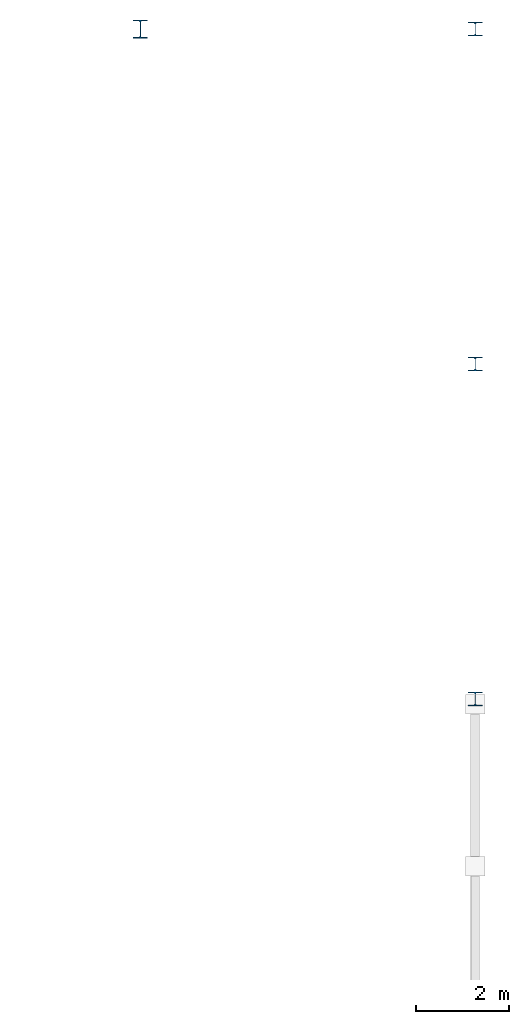
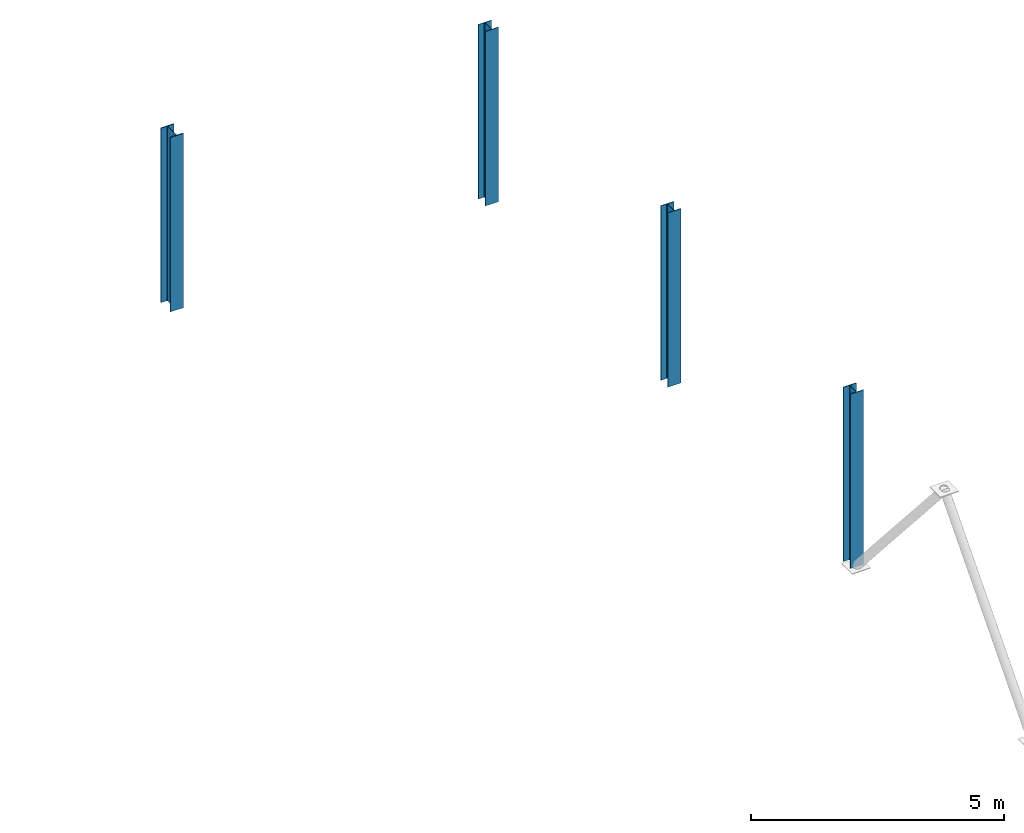
# One storey, part 8 of 60: 4 columns.
"""IFC4 building model written with IfcOpenShell, lengths in metres."""

from ifc_helpers import new_model, si_unit, direction, frame, origin, origin_2d, place, context, subcontext, project, spatial, i_section, extrude, material, material_profile, profile_set, type_object, element, save


model = new_model("IFC4")

# Units and contexts
model_context = context("Model", 3, precision=1e-05, world=origin(), true_north=direction((0.0, 1.0)))
body_context = subcontext(model_context, "Body", "Model", "MODEL_VIEW")
ifc_project = project(units=[si_unit("LENGTHUNIT", "METRE"), si_unit("AREAUNIT", "SQUARE_METRE"), si_unit("VOLUMEUNIT", "CUBIC_METRE"), si_unit("PLANEANGLEUNIT", "RADIAN"), si_unit("MASSUNIT", "GRAM", prefix="KILO")], contexts=[model_context])

# Site, building, storey
site_placement = place(None, origin())
site = spatial("IfcSite", under=ifc_project, at=site_placement, CompositionType="ELEMENT")
building_placement = place(site_placement, origin())
building = spatial("IfcBuilding", under=site, at=building_placement, Name="Brisavento Harbour Community Centre", CompositionType="ELEMENT")
storey_placement = place(building_placement, frame((0.0, 0.0, 4.5)))
storey = spatial("IfcBuildingStorey", under=building, at=storey_placement, Name="L01", CompositionType="ELEMENT", Elevation=4.5)

# Columns
ifc_material = material(Name="Steel S355", Category="steel")
ifc_material_profile_1 = material_profile(ifc_material, i_section(OverallWidth=0.300048828125, OverallDepth=0.2900390625, WebThickness=0.008544921875, FlangeThickness=0.013916015625, FilletRadius=0.027099609375, at=origin_2d()), Name="Steel S355")
ifc_profile_set_1 = profile_set([ifc_material_profile_1], Name="Steel S355")
column_type_1 = type_object("IfcColumnType", Name="COL-STL-HEA300", PredefinedType="COLUMN", material=ifc_profile_set_1)
for number, where, z_axis, x_axis, name in (
    (1, (172.800048828125, 100.800048828125, 0.0), (0.0, 0.0, 1.0), (1.0, 0.0, 0.0), "L01 column V4E-100"),
    (2, (172.800048828125, 108.0, 0.0), (0.0, 0.0, 1.0), (1.0, 0.0, 0.0), "L01 column V4E-108"),
    (3, (172.800048828125, 115.199951171875, 0.0), (0.0, 0.0, 1.0), (1.0, 0.0, 0.0), "L01 column V4E-115"),
):
    element("IfcColumn", number, at=place(storey_placement, frame(where, z_axis=z_axis, x_axis=x_axis)), inside=storey, type_object=column_type_1, Name=name, PredefinedType="COLUMN", context=body_context, shape_type="SweptSolid", body=[
        extrude(i_section(OverallWidth=0.300048828125, OverallDepth=0.2900390625, WebThickness=0.008544921875, FlangeThickness=0.013916015625, FilletRadius=0.027099609375, at=origin_2d()), origin(), (0.0, 0.0, 1.0), 4.199951171875),
    ])
ifc_material_profile_2 = material_profile(ifc_material, i_section(OverallWidth=0.300048828125, OverallDepth=0.389892578125, WebThickness=0.010986328125, FlangeThickness=0.01904296875, FilletRadius=0.027099609375, at=origin_2d()), Name="Steel S355")
ifc_profile_set_2 = profile_set([ifc_material_profile_2], Name="Steel S355")
column_type_2 = type_object("IfcColumnType", Name="COL-STL-HEA400", PredefinedType="COLUMN", material=ifc_profile_set_2)
column_placement = place(storey_placement, frame((165.60009765625, 115.199951171875, 0.0), z_axis=(0.0, 0.0, 1.0), x_axis=(1.0, 0.0, 0.0)))
element("IfcColumn", 4, at=column_placement, inside=storey, type_object=column_type_2, Name="L01 column V4TN-7", PredefinedType="COLUMN", context=body_context, shape_type="SweptSolid", body=[
    extrude(i_section(OverallWidth=0.300048828125, OverallDepth=0.389892578125, WebThickness=0.010986328125, FlangeThickness=0.01904296875, FilletRadius=0.027099609375, at=origin_2d()), origin(), (0.0, 0.0, 1.0), 4.199951171875),
])

save(model, "model.ifc")
